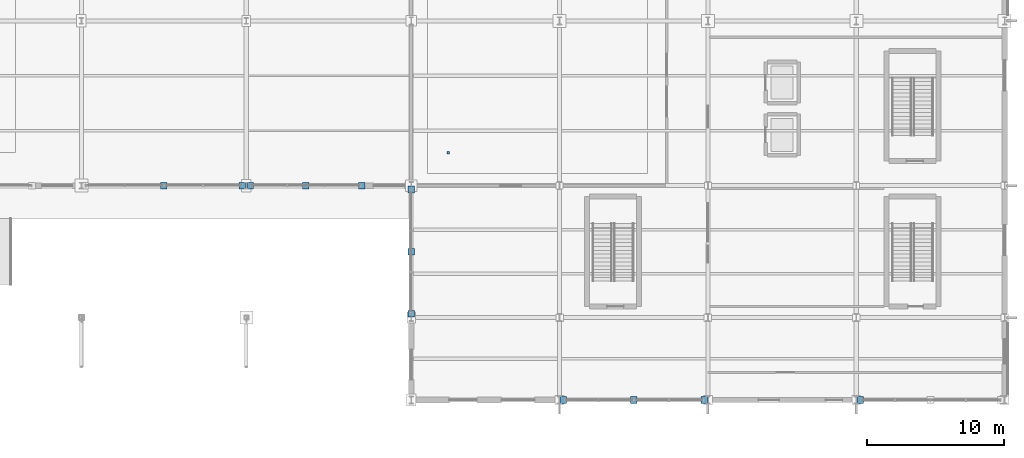
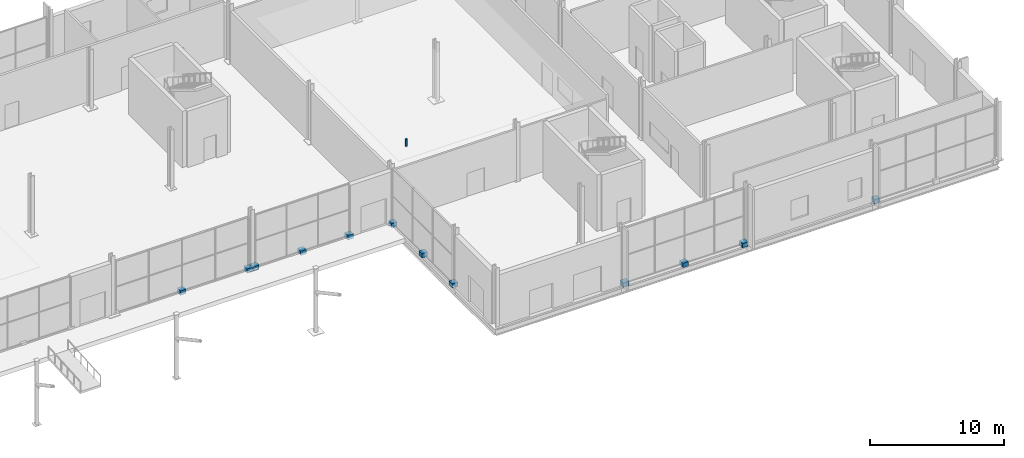
# One storey, part 187 of 196: 13 discrete accessories.
"""IFC4 building model written with IfcOpenShell, lengths in metres."""

from ifc_helpers import new_model, si_unit, direction, frame, origin, origin_2d, place, context, subcontext, project, spatial, rectangle, extrude, material, layer, layer_set, type_object, element, save


model = new_model("IFC4")

# Units and contexts
model_context = context("Model", 3, precision=1e-05, world=origin(), true_north=direction((0.0, 1.0)))
body_context = subcontext(model_context, "Body", "Model", "MODEL_VIEW")
ifc_project = project(units=[si_unit("LENGTHUNIT", "METRE"), si_unit("AREAUNIT", "SQUARE_METRE"), si_unit("VOLUMEUNIT", "CUBIC_METRE"), si_unit("PLANEANGLEUNIT", "RADIAN"), si_unit("MASSUNIT", "GRAM", prefix="KILO")], contexts=[model_context])

# Site, building, storey
site_placement = place(None, origin())
site = spatial("IfcSite", under=ifc_project, at=site_placement, CompositionType="ELEMENT")
building_placement = place(site_placement, origin())
building = spatial("IfcBuilding", under=site, at=building_placement, Name="Merenkruunu Market Hall", CompositionType="ELEMENT")
storey_placement = place(building_placement, origin())
storey = spatial("IfcBuildingStorey", under=building, at=storey_placement, Name="L00", CompositionType="ELEMENT", Elevation=0.0)

# Discrete accessories
ifc_material = material(Name="Brushed stainless steel", Category="steel")
ifc_layer = layer(ifc_material, 0.159912109375)
ifc_layer_set = layer_set([ifc_layer], Name="Brushed stainless steel")
discrete_accessory_type = type_object("IfcDiscreteAccessoryType", Name="Stainless Facade Support Bracket BRK01", PredefinedType="BRACKET", material=ifc_layer_set)
for number, where, z_axis, x_axis, name in (
    (1, (136.52001953125, 15.60009765625, -0.199951171875), (0.0, 0.0, 1.0), (1.0, 0.0, 0.0), "ACC-CWBRK-194-1"),
    (2, (130.800048828125, 15.60009765625, -0.199951171875), (0.0, 0.0, 1.0), (1.0, 0.0, 0.0), "ACC-CWBRK-194-2"),
    (3, (145.199951171875, 15.60009765625, -0.199951171875), (0.0, 0.0, 1.0), (1.0, 0.0, 0.0), "ACC-CWBRK-198-1"),
    (4, (141.139892578125, 15.60009765625, -0.199951171875), (0.0, 0.0, 1.0), (1.0, 0.0, 0.0), "ACC-CWBRK-198-2"),
    (5, (137.080078125, 15.60009765625, -0.199951171875), (0.0, 0.0, 1.0), (1.0, 0.0, 0.0), "ACC-CWBRK-198-3"),
    (6, (170.1201171875, 0.0, -0.199951171875), (0.0, 0.0, 1.0), (1.0, 0.0, 0.0), "ACC-CWBRK-201-1"),
    (7, (165.0, 0.0, -0.199951171875), (0.0, 0.0, 1.0), (1.0, 0.0, 0.0), "ACC-CWBRK-201-2"),
    (8, (159.8798828125, 0.0, -0.199951171875), (0.0, 0.0, 1.0), (1.0, 0.0, 0.0), "ACC-CWBRK-201-3"),
    (9, (181.47998046875, 0.0, -0.199951171875), (0.0, 0.0, 1.0), (1.0, 0.0, 0.0), "ACC-CWBRK-202-3"),
    (10, (148.800048828125, 6.280029296875, -0.199951171875), (0.0, 0.0, 1.0), (1.0, 0.0, 0.0), "ACC-CWBRK-204-1"),
    (11, (148.800048828125, 10.800048828125, -0.199951171875), (0.0, 0.0, 1.0), (1.0, 0.0, 0.0), "ACC-CWBRK-204-2"),
    (12, (148.800048828125, 15.320068359375, -0.199951171875), (0.0, 0.0, 1.0), (1.0, 0.0, 0.0), "ACC-CWBRK-204-3"),
):
    element("IfcDiscreteAccessory", number, at=place(storey_placement, frame(where, z_axis=z_axis, x_axis=x_axis)), inside=storey, type_object=discrete_accessory_type, Name=name, PredefinedType="BRACKET", context=body_context, shape_type="SweptSolid", body=[
        extrude(rectangle(XDim=0.47998046875, YDim=0.47998046875, at=origin_2d()), origin(), (0.0, 0.0, 1.0), 0.39990234375),
    ])
discrete_accessory_placement = place(storey_placement, frame((151.5, 18.0, 4.449951171875), z_axis=(0.0, 0.0, 1.0), x_axis=(1.0, 0.0, 0.0)))
element("IfcDiscreteAccessory", 13, at=discrete_accessory_placement, inside=storey, type_object=discrete_accessory_type, Name="ACC-CLGHNG-2-1", PredefinedType="BRACKET", context=body_context, shape_type="SweptSolid", body=[
    extrude(rectangle(XDim=0.159912109375, YDim=0.159912109375, at=origin_2d()), origin(), (0.0, 0.0, 1.0), 0.64990234375),
])

save(model, "model.ifc")
